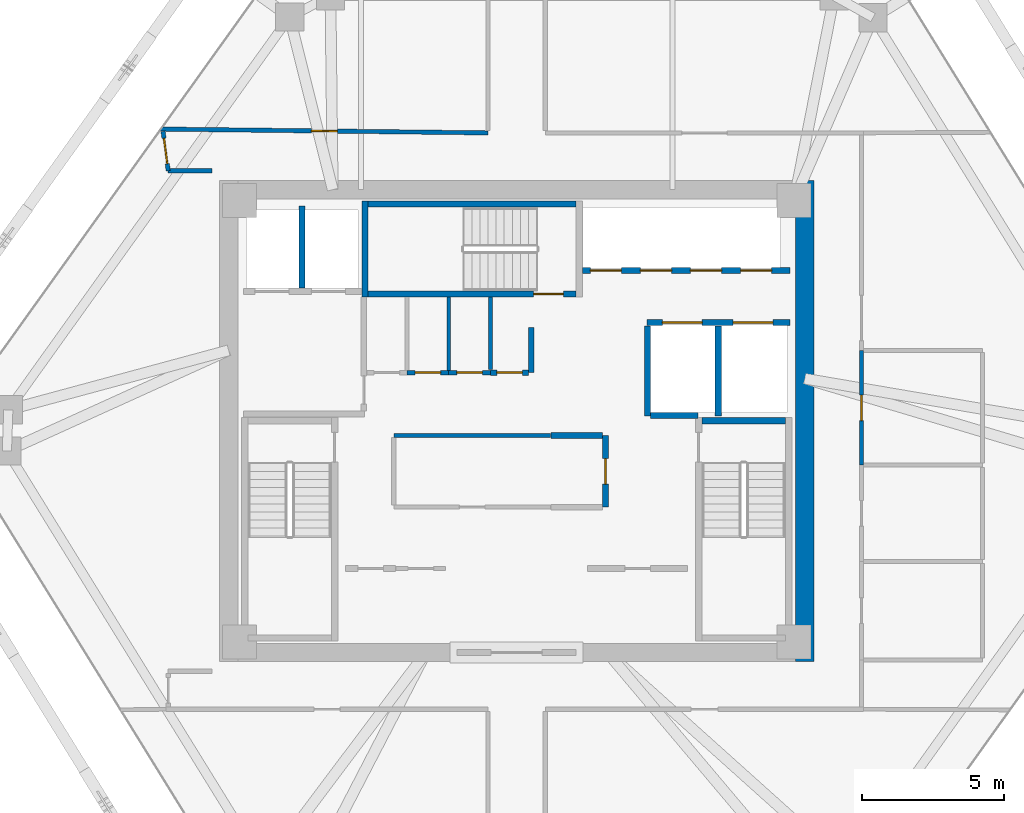
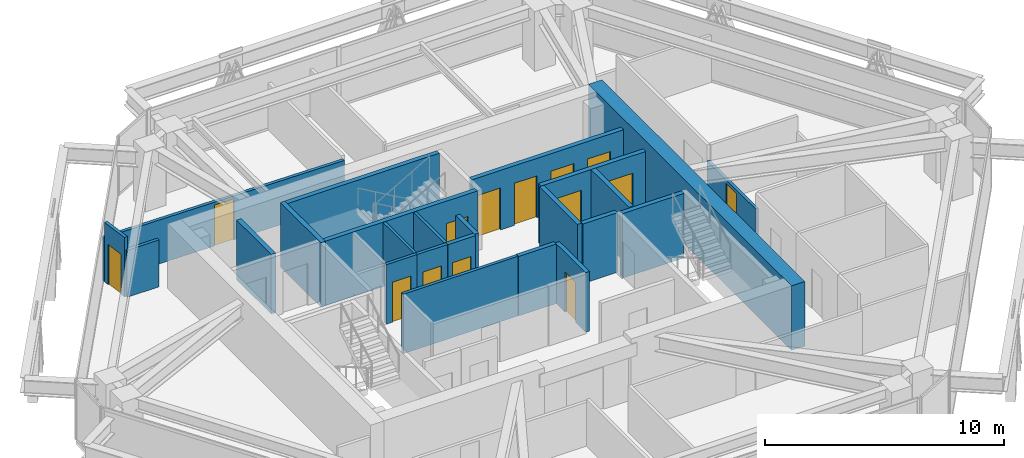
# One storey, part 11 of 13: 24 walls, 14 doors, 14 openings.
"""IFC4 building model written with IfcOpenShell, lengths in metres."""

import ifcopenshell
import ifcopenshell.guid

model = None  # the IFC model being written
_history = None  # IfcOwnerHistory: only IFC2X3 demands one
_inside = {}  # id of a spatial element -> (the spatial element, [elements in it])
_under = {}  # id of a project, library or spatial element -> (it, [spatial elements below it])
_declared = {}  # id of a project -> (the project, [libraries it declares])
_typed = {}  # id of a type object -> (the type object, [elements of that type])
_made_of = {}  # id of a material, layer set ... -> (it, [elements and type objects made of it])


def new_model(schema):
    """Start an empty IFC model of exactly this schema.

    Asked for "IFC4X3", IfcOpenShell would pick the latest addendum, in which some entities
    have other attributes; the version numbers below select the first issue.
    IFC2X3 requires an IfcOwnerHistory on every rooted entity: one is made here for all.
    """
    global model, _history
    if schema == "IFC4X3":
        model = ifcopenshell.file(schema_version=(4, 3, 0, 0))
    else:
        model = ifcopenshell.file(schema=schema)
    _inside.clear()
    _under.clear()
    _declared.clear()
    _typed.clear()
    _made_of.clear()
    _history = None
    if model.schema == "IFC2X3":
        org = make("IfcOrganization", Name="unknown")
        user = make(
            "IfcPersonAndOrganization",
            ThePerson=make("IfcPerson", FamilyName="unknown"),
            TheOrganization=org,
        )
        app = make(
            "IfcApplication",
            ApplicationDeveloper=org,
            Version="unknown",
            ApplicationFullName="unknown",
            ApplicationIdentifier="unknown",
        )
        _history = make(
            "IfcOwnerHistory",
            OwningUser=user,
            OwningApplication=app,
            ChangeAction="ADDED",
            CreationDate=0,
        )
    return model


def make(cls, **values):
    """One entity of the class cls with the attributes given. An attribute that is None is left unset."""
    return model.create_entity(
        cls, **{name: value for name, value in values.items() if value is not None}
    )


def rooted(cls, **values):
    """An entity with a GlobalId (a new one), such as an element, a storey or a relation."""
    return make(cls, GlobalId=ifcopenshell.guid.new(), OwnerHistory=_history, **values)


def si_unit(unit_type, name, prefix=None):
    """IfcSIUnit, for example si_unit("LENGTHUNIT", "METRE", prefix="MILLI")."""
    return make("IfcSIUnit", UnitType=unit_type, Prefix=prefix, Name=name)


def assignment(units):
    """IfcUnitAssignment: the units of a project."""
    return None if units is None else make("IfcUnitAssignment", Units=units)


def point(xyz):
    """IfcCartesianPoint."""
    return None if xyz is None else make("IfcCartesianPoint", Coordinates=xyz)


def direction(xyz):
    """IfcDirection."""
    return None if xyz is None else make("IfcDirection", DirectionRatios=xyz)


def frame(location, z_axis=None, x_axis=None):
    """IfcAxis2Placement3D, a coordinate frame: its origin and axes. An axis left out is left unset."""
    return make(
        "IfcAxis2Placement3D",
        Location=point(location),
        Axis=direction(z_axis),
        RefDirection=direction(x_axis),
    )


def frame_2d(location, x_axis=None):
    """IfcAxis2Placement2D, a coordinate frame in the plane: its origin and x axis."""
    return make(
        "IfcAxis2Placement2D", Location=point(location), RefDirection=direction(x_axis)
    )


def origin():
    """The frame at (0, 0, 0) with its axes left unset."""
    return frame((0.0, 0.0, 0.0))


def place(relative_to, where):
    """IfcLocalPlacement: puts the frame where relative to a parent placement (None: the world)."""
    return make(
        "IfcLocalPlacement", PlacementRelTo=relative_to, RelativePlacement=where
    )


def context(
    kind, dimensions, precision=None, world=None, true_north=None, identifier=None
):
    """IfcGeometricRepresentationContext, for example the 3D "Model" context."""
    return make(
        "IfcGeometricRepresentationContext",
        ContextIdentifier=identifier,
        ContextType=kind,
        CoordinateSpaceDimension=dimensions,
        Precision=precision,
        WorldCoordinateSystem=world,
        TrueNorth=true_north,
    )


def subcontext(parent, identifier, kind, view, scale=None):
    """IfcGeometricRepresentationSubContext, for example "Body" below "Model"."""
    return make(
        "IfcGeometricRepresentationSubContext",
        ContextIdentifier=identifier,
        ContextType=kind,
        ParentContext=parent,
        TargetScale=scale,
        TargetView=view,
    )


def project(units=None, contexts=None):
    """IfcProject with its units and contexts."""
    return rooted(
        "IfcProject",
        Name="project",
        RepresentationContexts=contexts,
        UnitsInContext=assignment(units),
    )


def spatial(cls, under=None, at=None, **own):
    """A site, building, storey or space (cls), placed at a placement, below another one or the project."""
    s = rooted(cls, ObjectPlacement=at, **own)
    if under is not None:
        _under.setdefault(under.id(), (under, []))[1].append(s)
    return s


def profile(cls, at=None, kind="AREA", **sizes):
    """A parametric profile (cls). Its sizes go by their IFC names, for example OverallWidth=200.0."""
    return make(cls, ProfileType=kind, Position=at, **sizes)


def rectangle(**sizes):
    """IfcRectangleProfileDef."""
    return profile("IfcRectangleProfileDef", **sizes)


def extrude(swept, where, along, depth):
    """IfcExtrudedAreaSolid: the profile swept, set in the frame where, extruded along a direction by depth."""
    return make(
        "IfcExtrudedAreaSolid",
        SweptArea=swept,
        Position=where,
        ExtrudedDirection=direction(along),
        Depth=depth,
    )


def shape(context_of_items, identifier, shape_type, items):
    """IfcShapeRepresentation: the items that make up one representation, for example the "Body"."""
    return make(
        "IfcShapeRepresentation",
        ContextOfItems=context_of_items,
        RepresentationIdentifier=identifier,
        RepresentationType=shape_type,
        Items=items,
    )


def source(mapping_origin, context_of_items, identifier, shape_type, items):
    """IfcRepresentationMap: a shape defined once, which mapped items show again and again."""
    return make(
        "IfcRepresentationMap",
        MappingOrigin=mapping_origin,
        MappedRepresentation=shape(context_of_items, identifier, shape_type, items),
    )


def transform(
    local_origin,
    x_axis=None,
    y_axis=None,
    z_axis=None,
    scale=None,
    scale2=None,
    scale3=None,
    uniform=True,
):
    """IfcCartesianTransformationOperator3D, or its non-uniform kind. x_axis, y_axis, z_axis: its Axis1, 2, 3."""
    if uniform:
        return make(
            "IfcCartesianTransformationOperator3D",
            Axis1=direction(x_axis),
            Axis2=direction(y_axis),
            LocalOrigin=point(local_origin),
            Scale=scale,
            Axis3=direction(z_axis),
        )
    return make(
        "IfcCartesianTransformationOperator3DnonUniform",
        Axis1=direction(x_axis),
        Axis2=direction(y_axis),
        LocalOrigin=point(local_origin),
        Scale=scale,
        Axis3=direction(z_axis),
        Scale2=scale2,
        Scale3=scale3,
    )


def mapped(mapping_source, mapping_target):
    """IfcMappedItem: shows the shape of a source again, moved by a transform."""
    return make(
        "IfcMappedItem", MappingSource=mapping_source, MappingTarget=mapping_target
    )


def material(Name=None, Category=None):
    """IfcMaterial."""
    return make("IfcMaterial", Name=Name, Category=Category)


def layer(
    of_material, thickness, ventilated=None, Name=None, Category=None, Priority=None
):
    """IfcMaterialLayer: one layer of a wall or slab, of a material (None: an air gap)."""
    return make(
        "IfcMaterialLayer",
        Material=of_material,
        LayerThickness=thickness,
        IsVentilated=ventilated,
        Name=Name,
        Category=Category,
        Priority=Priority,
    )


def layer_set(layers, Name=None):
    """IfcMaterialLayerSet."""
    return make("IfcMaterialLayerSet", MaterialLayers=layers, LayerSetName=Name)


def made_of(thing, what):
    """Note that an element or type object is made of a material, layer set ...; save() writes the relation."""
    if what is not None:
        _made_of.setdefault(what.id(), (what, []))[1].append(thing)
    return thing


def type_object(cls, material=None, **own):
    """A type object (cls), such as IfcWallType, which elements share."""
    return made_of(rooted(cls, **own), material)


def type_shapes(of_type, sources):
    """Give a type object the sources (RepresentationMaps) that its elements show as mapped items."""
    of_type.RepresentationMaps = sources


def element(
    cls,
    number,
    at=None,
    inside=None,
    cuts=None,
    type_object=None,
    material=None,
    context=None,
    identifier="Body",
    shape_type=None,
    held_by="IfcProductDefinitionShape",
    body=None,
    shapes=None,
    **own,
):
    """One element of the class cls, such as IfcWall. Its Tag is "e" and its number.

    at: its placement. inside: the storey or other place that contains it. cuts: it is an
    opening in that element (IfcRelVoidsElement). A single representation is given by context,
    identifier, shape_type and body (its items); several are given by shapes. held_by: the class
    of the entity that holds the representations. save() writes the other relations.
    """
    e = rooted(cls, Tag="e%d" % number, ObjectPlacement=at, **own)
    if body is not None:
        shapes = [shape(context, identifier, shape_type, body)]
    if shapes is not None:
        e.Representation = make(held_by, Representations=shapes)
    if inside is not None:
        _inside.setdefault(inside.id(), (inside, []))[1].append(e)
    if cuts is not None:
        rooted(
            "IfcRelVoidsElement", RelatingBuildingElement=cuts, RelatedOpeningElement=e
        )
    if type_object is not None:
        _typed.setdefault(type_object.id(), (type_object, []))[1].append(e)
    return made_of(e, material)


def fill(opening, filler):
    """IfcRelFillsElement: the door or window that sits in an opening."""
    return rooted(
        "IfcRelFillsElement",
        RelatingOpeningElement=opening,
        RelatedBuildingElement=filler,
    )


def aggregate(whole, parts):
    """IfcRelAggregates: a whole, such as a stair, and the parts it consists of."""
    return rooted("IfcRelAggregates", RelatingObject=whole, RelatedObjects=parts)


def save(model, path):
    """Write the relations noted so far, then the file.

    IfcRelAggregates (storeys below a building ...), IfcRelContainedInSpatialStructure (elements
    in a storey), IfcRelDefinesByType, IfcRelAssociatesMaterial and IfcRelDeclares: one each for
    every whole, place, type object, material and project.
    """
    for whole, parts in _under.values():
        aggregate(whole, parts)
    for where, things in _inside.values():
        rooted(
            "IfcRelContainedInSpatialStructure",
            RelatedElements=things,
            RelatingStructure=where,
        )
    for kind, things in _typed.values():
        rooted("IfcRelDefinesByType", RelatedObjects=things, RelatingType=kind)
    for what, things in _made_of.values():
        rooted("IfcRelAssociatesMaterial", RelatedObjects=things, RelatingMaterial=what)
    for by, libraries in _declared.values():
        rooted("IfcRelDeclares", RelatingContext=by, RelatedDefinitions=libraries)
    model.write(path)


model = new_model("IFC4")

# Units and contexts
model_context = context("Model", 3, precision=1e-05, world=origin(), true_north=direction((0.0, 1.0)))
body_context = subcontext(model_context, "Body", "Model", "MODEL_VIEW")
ifc_project = project(units=[si_unit("LENGTHUNIT", "METRE"), si_unit("AREAUNIT", "SQUARE_METRE"), si_unit("VOLUMEUNIT", "CUBIC_METRE"), si_unit("PLANEANGLEUNIT", "RADIAN"), si_unit("MASSUNIT", "GRAM", prefix="KILO")], contexts=[model_context])

# Site, building, storey
site_placement = place(None, origin())
site = spatial("IfcSite", under=ifc_project, at=site_placement, CompositionType="ELEMENT")
building_placement = place(site_placement, origin())
building = spatial("IfcBuilding", under=site, at=building_placement, Name="Durnholm Broadcast Tower", CompositionType="ELEMENT")
storey_placement = place(building_placement, frame((0.0, 0.0, 167.199951171875)))
storey = spatial("IfcBuildingStorey", under=building, at=storey_placement, Name="L45", CompositionType="ELEMENT", Elevation=167.199951171875)

# Wall
ifc_material_1 = material(Name="Concrete C70/85", Category="concrete")
ifc_layer_1 = layer(ifc_material_1, 0.64990234375)
ifc_layer_set_1 = layer_set([ifc_layer_1], Name="Concrete C70/85")
wall_type_1 = type_object("IfcWallType", Name="WALL-CW-650", PredefinedType="SHEAR", material=ifc_layer_set_1)
wall_1_placement = place(storey_placement, frame((10.175048828125, -8.5, 0.0), z_axis=(0.0, 0.0, 1.0), x_axis=(0.0, 1.0, 0.0)))
element("IfcWall", 1, at=wall_1_placement, inside=storey, type_object=wall_type_1, Name="L45 central core shear wall CW-EAST", PredefinedType="SHEAR", context=body_context, shape_type="SweptSolid", body=[
    extrude(rectangle(XDim=17.0, YDim=0.64990234375, at=frame_2d((8.5, 0.0))), origin(), (0.0, 0.0, 1.0), 3.300048828125),
])

# Wall, opening, door
ifc_material_2 = material(Name="Fire-Rated Gypsum Shaftwall", Category="concrete")
ifc_layer_2 = layer(ifc_material_2, 0.199951171875)
ifc_layer_set_2 = layer_set([ifc_layer_2], Name="Fire-Rated Gypsum Shaftwall")
wall_type_2 = type_object("IfcWallType", Name="WALL-LOB-200", PredefinedType="SOLIDWALL", material=ifc_layer_set_2)
wall_2_placement = place(storey_placement, frame((3.139892578125, -0.510009765625, 0.0), z_axis=(0.0, 0.0, 1.0), x_axis=(0.0, -1.0, 0.0)))
wall_2 = element("IfcWall", 2, at=wall_2_placement, inside=storey, type_object=wall_type_2, Name="L45 Core IT Telecom Room corridor partition", PredefinedType="SOLIDWALL", context=body_context, shape_type="SweptSolid", body=[
    extrude(rectangle(XDim=2.530029296875, YDim=0.199951171875, at=frame_2d((1.26513671875, 0.0))), origin(), (0.0, 0.0, 1.0), 3.045166015625),
])
opening_1_placement = place(wall_2_placement, frame((0.81494140625, 0.0, 0.0)))
opening_1 = element("IfcOpeningElement", 3, at=opening_1_placement, cuts=wall_2, Name="Opening DC-60L", PredefinedType="OPENING", context=body_context, shape_type="SweptSolid", body=[
    extrude(rectangle(XDim=0.89990234375, YDim=2.050048828125, at=frame_2d((0.449951171875, 1.02490234375))), frame((0.0, 0.10986328125, 0.0), z_axis=(0.0, -1.0, 0.0), x_axis=(1.0, 0.0, 0.0)), (0.0, 0.0, 1.0), 0.219970703125),
])
ifc_material_3 = material(Name="Fire-Rated Core Service Door", Category="steel")
ifc_layer_3 = layer(ifc_material_3, 0.050048828125)
ifc_layer_set_3 = layer_set([ifc_layer_3], Name="Fire-Rated Core Service Door")
door_type_1 = type_object("IfcDoorType", Name="DOOR-CORE-FD60-L", OperationType="NOTDEFINED", PredefinedType="DOOR", material=ifc_layer_set_3)
shared_shape_1 = source(origin(), body_context, "Body", "SweptSolid", [
    extrude(rectangle(XDim=0.89990234375, YDim=2.050048828125, at=frame_2d((0.449951171875, 1.02490234375))), frame((0.0, 0.02490234375, 0.0), z_axis=(0.0, -1.0, 0.0), x_axis=(1.0, 0.0, 0.0)), (0.0, 0.0, 1.0), 0.050048828125),
])
type_shapes(door_type_1, [shared_shape_1])
door_1_placement = place(opening_1_placement, origin())
door_1 = element("IfcDoor", 4, at=door_1_placement, inside=storey, type_object=door_type_1, Name="L45 Core IT Telecom Room entrance door", OperationType="SINGLE_SWING_LEFT", OverallHeight=2.050048828125, OverallWidth=0.89990234375, PredefinedType="DOOR", context=body_context, shape_type="MappedRepresentation", body=[
    mapped(shared_shape_1, transform((0.0, 0.0, 0.0), x_axis=(1.0, 0.0, 0.0), y_axis=(0.0, 1.0, 0.0), z_axis=(0.0, 0.0, 1.0), scale=1.0)),
])
fill(opening_1, door_1)

# Walls
wall_3_placement = place(storey_placement, frame((1.2099609375, -0.510009765625, 0.0), z_axis=(0.0, 0.0, 1.0), x_axis=(1.0, 0.0, 0.0)))
element("IfcWall", 5, at=wall_3_placement, inside=storey, type_object=wall_type_2, Name="L45 Core IT Telecom Room corridor partition", PredefinedType="SOLIDWALL", context=body_context, shape_type="SweptSolid", body=[
    extrude(rectangle(XDim=1.825927734375, YDim=0.199951171875, at=frame_2d((0.9130859375, 0.0))), origin(), (0.0, 0.0, 1.0), 3.045166015625),
])
wall_4_placement = place(storey_placement, frame((0.52001953125, 3.300048828125, 0.0), z_axis=(0.0, 0.0, 1.0), x_axis=(0.0, -1.0, 0.0)))
element("IfcWall", 6, at=wall_4_placement, inside=storey, type_object=wall_type_2, Name="L45 Core Signal Sync Room corridor partition", PredefinedType="SOLIDWALL", context=body_context, shape_type="SweptSolid", body=[
    extrude(rectangle(XDim=1.590087890625, YDim=0.199951171875, at=frame_2d((0.794921875, 0.0))), origin(), (0.0, 0.0, 1.0), 3.045166015625),
])

# Wall, opening, door
wall_5_placement = place(storey_placement, frame((0.416015625, 1.7099609375, 0.0), z_axis=(0.0, 0.0, 1.0), x_axis=(-1.0, 0.0, 0.0)))
wall_5 = element("IfcWall", 7, at=wall_5_placement, inside=storey, type_object=wall_type_2, Name="L45 Core Signal Sync Room corridor partition", PredefinedType="SOLIDWALL", context=body_context, shape_type="SweptSolid", body=[
    extrude(rectangle(XDim=1.3359375, YDim=0.199951171875, at=frame_2d((0.66796875, 0.0))), origin(), (0.0, 0.0, 1.0), 3.045166015625),
])
opening_2_placement = place(wall_5_placement, frame((0.218017578125, 0.0, 0.0)))
opening_2 = element("IfcOpeningElement", 8, at=opening_2_placement, cuts=wall_5, Name="Opening DC-60L", PredefinedType="OPENING", context=body_context, shape_type="SweptSolid", body=[
    extrude(rectangle(XDim=0.89990234375, YDim=2.050048828125, at=frame_2d((0.449951171875, 1.02490234375))), frame((0.0, 0.10986328125, 0.0), z_axis=(0.0, -1.0, 0.0), x_axis=(1.0, 0.0, 0.0)), (0.0, 0.0, 1.0), 0.219970703125),
])
door_2_placement = place(opening_2_placement, origin())
door_2 = element("IfcDoor", 9, at=door_2_placement, inside=storey, type_object=door_type_1, Name="L45 Core Signal Sync Room entrance door", OperationType="SINGLE_SWING_LEFT", OverallHeight=2.050048828125, OverallWidth=0.89990234375, PredefinedType="DOOR", context=body_context, shape_type="MappedRepresentation", body=[
    mapped(shared_shape_1, transform((0.0, 0.0, 0.0), x_axis=(1.0, 0.0, 0.0), y_axis=(0.0, 1.0, 0.0), z_axis=(0.0, 0.0, 1.0), scale=1.0)),
])
fill(opening_2, door_2)

# Walls
ifc_material_4 = material(Name="Gypsum Metal Stud Partition", Category="concrete")
ifc_layer_4 = layer(ifc_material_4, 0.135009765625)
ifc_layer_set_4 = layer_set([ifc_layer_4], Name="Gypsum Metal Stud Partition")
wall_type_3 = type_object("IfcWallType", Name="WALL-PART-135", PredefinedType="PARTITIONING", material=ifc_layer_set_4)
wall_6_placement = place(storey_placement, frame((-2.39990234375, 4.375, 0.0), z_axis=(0.0, 0.0, 1.0), x_axis=(0.0, -1.0, 0.0)))
element("IfcWall", 10, at=wall_6_placement, inside=storey, type_object=wall_type_3, Name="L45 room dividing partition 7.8", PredefinedType="PARTITIONING", context=body_context, shape_type="SweptSolid", body=[
    extrude(rectangle(XDim=2.5859375, YDim=0.135009765625, at=frame_2d((1.29296875, 0.0))), origin(), (0.0, 0.0, 1.0), 3.045166015625),
])
wall_7_placement = place(storey_placement, frame((-0.919921875, 4.375, 0.0), z_axis=(0.0, 0.0, 1.0), x_axis=(0.0, -1.0, 0.0)))
element("IfcWall", 11, at=wall_7_placement, inside=storey, type_object=wall_type_3, Name="L45 room dividing partition 8.9", PredefinedType="PARTITIONING", context=body_context, shape_type="SweptSolid", body=[
    extrude(rectangle(XDim=2.56103515625, YDim=0.135009765625, at=frame_2d((1.280517578125, 0.0))), origin(), (0.0, 0.0, 1.0), 3.045166015625),
])
ifc_material_5 = material(Name="Acoustic Gypsum Stud Partition", Category="concrete")
ifc_layer_5 = layer(ifc_material_5, 0.14990234375)
ifc_layer_set_5 = layer_set([ifc_layer_5], Name="Acoustic Gypsum Stud Partition")
wall_type_4 = type_object("IfcWallType", Name="WALL-PART-150", PredefinedType="PARTITIONING", material=ifc_layer_set_5)
wall_8_placement = place(storey_placement, frame((-4.340087890625, -0.510009765625, 0.0), z_axis=(0.0, 0.0, 1.0), x_axis=(1.0, 0.0, 0.0)))
element("IfcWall", 12, at=wall_8_placement, inside=storey, type_object=wall_type_4, Name="L45 Broadcast Equipment Store corridor partition", PredefinedType="PARTITIONING", context=body_context, shape_type="SweptSolid", body=[
    extrude(rectangle(XDim=5.530029296875, YDim=0.14990234375, at=frame_2d((2.76513671875, 0.0))), origin(), (0.0, 0.0, 1.0), 3.045166015625),
])

# Wall, opening, door
wall_9_placement = place(storey_placement, frame((-2.39990234375, 1.7099609375, 0.0), z_axis=(0.0, 0.0, 1.0), x_axis=(-1.0, 0.0, 0.0)))
wall_9 = element("IfcWall", 13, at=wall_9_placement, inside=storey, type_object=wall_type_4, Name="L45 Core Linen Supply Closet corridor partition", PredefinedType="PARTITIONING", context=body_context, shape_type="SweptSolid", body=[
    extrude(rectangle(XDim=1.47998046875, YDim=0.14990234375, at=frame_2d((0.739990234375, 0.0))), origin(), (0.0, 0.0, 1.0), 3.045166015625),
])
opening_3_placement = place(wall_9_placement, frame((0.2900390625, 0.0, 0.0)))
opening_3 = element("IfcOpeningElement", 14, at=opening_3_placement, cuts=wall_9, Name="Opening DC-60L", PredefinedType="OPENING", context=body_context, shape_type="SweptSolid", body=[
    extrude(rectangle(XDim=0.89990234375, YDim=2.050048828125, at=frame_2d((0.449951171875, 1.02490234375))), frame((0.0, 0.0849609375, 0.0), z_axis=(0.0, -1.0, 0.0), x_axis=(1.0, 0.0, 0.0)), (0.0, 0.0, 1.0), 0.169921875),
])
door_3_placement = place(opening_3_placement, origin())
door_3 = element("IfcDoor", 15, at=door_3_placement, inside=storey, type_object=door_type_1, Name="L45 Core Linen Supply Closet entrance door", OperationType="SINGLE_SWING_LEFT", OverallHeight=2.050048828125, OverallWidth=0.89990234375, PredefinedType="DOOR", context=body_context, shape_type="MappedRepresentation", body=[
    mapped(shared_shape_1, transform((0.0, 0.0, 0.0), x_axis=(1.0, 0.0, 0.0), y_axis=(0.0, 1.0, 0.0), z_axis=(0.0, 0.0, 1.0), scale=1.0)),
])
fill(opening_3, door_3)

wall_10_placement = place(storey_placement, frame((-0.919921875, 1.7099609375, 0.0), z_axis=(0.0, 0.0, 1.0), x_axis=(-1.0, 0.0, 0.0)))
wall_10 = element("IfcWall", 16, at=wall_10_placement, inside=storey, type_object=wall_type_4, Name="L45 Core Safety Gear Store corridor partition", PredefinedType="PARTITIONING", context=body_context, shape_type="SweptSolid", body=[
    extrude(rectangle(XDim=1.47998046875, YDim=0.14990234375, at=frame_2d((0.739990234375, 0.0))), origin(), (0.0, 0.0, 1.0), 3.045166015625),
])
opening_4_placement = place(wall_10_placement, frame((0.2900390625, 0.0, 0.0)))
opening_4 = element("IfcOpeningElement", 17, at=opening_4_placement, cuts=wall_10, Name="Opening DC-60R", PredefinedType="OPENING", context=body_context, shape_type="SweptSolid", body=[
    extrude(rectangle(XDim=0.89990234375, YDim=2.050048828125, at=frame_2d((0.449951171875, 1.02490234375))), frame((0.0, 0.0849609375, 0.0), z_axis=(0.0, -1.0, 0.0), x_axis=(1.0, 0.0, 0.0)), (0.0, 0.0, 1.0), 0.169921875),
])
ifc_layer_6 = layer(ifc_material_3, 0.050048828125)
ifc_layer_set_6 = layer_set([ifc_layer_6], Name="Fire-Rated Core Service Door")
door_type_2 = type_object("IfcDoorType", Name="DOOR-CORE-FD60-R", OperationType="NOTDEFINED", PredefinedType="DOOR", material=ifc_layer_set_6)
shared_shape_2 = source(origin(), body_context, "Body", "SweptSolid", [
    extrude(rectangle(XDim=0.89990234375, YDim=2.050048828125, at=frame_2d((0.449951171875, 1.02490234375))), frame((0.0, 0.02490234375, 0.0), z_axis=(0.0, -1.0, 0.0), x_axis=(1.0, 0.0, 0.0)), (0.0, 0.0, 1.0), 0.050048828125),
])
type_shapes(door_type_2, [shared_shape_2])
door_4_placement = place(opening_4_placement, origin())
door_4 = element("IfcDoor", 18, at=door_4_placement, inside=storey, type_object=door_type_2, Name="L45 Core Safety Gear Store entrance door", OperationType="SINGLE_SWING_RIGHT", OverallHeight=2.050048828125, OverallWidth=0.89990234375, PredefinedType="DOOR", context=body_context, shape_type="MappedRepresentation", body=[
    mapped(shared_shape_2, transform((0.0, 0.0, 0.0), x_axis=(1.0, 0.0, 0.0), y_axis=(0.0, 1.0, 0.0), z_axis=(0.0, 0.0, 1.0), scale=1.0)),
])
fill(opening_4, door_4)

wall_11_placement = place(storey_placement, frame((-1.010009765625, 10.179931640625, 0.0), z_axis=(0.0, 0.0, 1.0), x_axis=(-0.999931176304, 0.011732120664, 0.0)))
wall_11 = element("IfcWall", 19, at=wall_11_placement, inside=storey, type_object=wall_type_4, Name="L45 Open Plan Broadcast Workspace 2 corridor partition", PredefinedType="PARTITIONING", context=body_context, shape_type="SweptSolid", body=[
    extrude(rectangle(XDim=11.570068359375, YDim=0.14990234375, at=frame_2d((5.78515625, 0.0))), origin(), (0.0, 0.0, 1.0), 2.241943359375),
])
opening_5_placement = place(wall_11_placement, frame((5.3251953125, 0.0, 0.0)))
opening_5 = element("IfcOpeningElement", 20, at=opening_5_placement, cuts=wall_11, Name="Opening DR-92L", PredefinedType="OPENING", context=body_context, shape_type="SweptSolid", body=[
    extrude(rectangle(XDim=0.919921875, YDim=2.10009765625, at=frame_2d((0.4599609375, 1.050048828125))), frame((0.0, 0.0849609375, 0.0), z_axis=(0.0, -1.0, 0.0), x_axis=(1.0, 0.0, 0.0)), (0.0, 0.0, 1.0), 0.169921875),
])
ifc_material_6 = material(Name="Oak Veneer Office Door", Category="wood")
ifc_layer_7 = layer(ifc_material_6, 0.050048828125)
ifc_layer_set_7 = layer_set([ifc_layer_7], Name="Oak Veneer Office Door")
door_type_3 = type_object("IfcDoorType", Name="DOOR-RM-920L", OperationType="NOTDEFINED", PredefinedType="DOOR", material=ifc_layer_set_7)
shared_shape_3 = source(origin(), body_context, "Body", "SweptSolid", [
    extrude(rectangle(XDim=0.919921875, YDim=2.10009765625, at=frame_2d((0.4599609375, 1.050048828125))), frame((0.0, 0.02490234375, 0.0), z_axis=(0.0, -1.0, 0.0), x_axis=(1.0, 0.0, 0.0)), (0.0, 0.0, 1.0), 0.050048828125),
])
type_shapes(door_type_3, [shared_shape_3])
door_5_placement = place(opening_5_placement, origin())
door_5 = element("IfcDoor", 21, at=door_5_placement, inside=storey, type_object=door_type_3, Name="L45 Open Plan Broadcast Workspace 2 entrance door", OperationType="SINGLE_SWING_LEFT", OverallHeight=2.10009765625, OverallWidth=0.919921875, PredefinedType="DOOR", context=body_context, shape_type="MappedRepresentation", body=[
    mapped(shared_shape_3, transform((0.0, 0.0, 0.0), x_axis=(1.0, 0.0, 0.0), y_axis=(0.0, 1.0, 0.0), z_axis=(0.0, 0.0, 1.0), scale=1.0)),
])
fill(opening_5, door_5)

# Wall
wall_12_placement = place(storey_placement, frame((-12.31005859375, 8.840087890625, 0.0), z_axis=(0.0, 0.0, 1.0), x_axis=(1.0, 0.0, 0.0)))
element("IfcWall", 22, at=wall_12_placement, inside=storey, type_object=wall_type_4, Name="L45 Digital Media Hall corridor partition", PredefinedType="PARTITIONING", context=body_context, shape_type="SweptSolid", body=[
    extrude(rectangle(XDim=1.550048828125, YDim=0.14990234375, at=frame_2d((0.77490234375, 0.0))), origin(), (0.0, 0.0, 1.0), 2.39892578125),
])

# Wall, opening, door
wall_13_placement = place(storey_placement, frame((-12.4921875, 10.235595703125, 0.0), z_axis=(0.0, 0.0, 1.0), x_axis=(0.129413346452, -0.991590735011, 0.0)))
wall_13 = element("IfcWall", 23, at=wall_13_placement, inside=storey, type_object=wall_type_4, Name="L45 Digital Media Hall corridor partition", PredefinedType="PARTITIONING", context=body_context, shape_type="SweptSolid", body=[
    extrude(rectangle(XDim=1.4072265625, YDim=0.14990234375, at=frame_2d((0.70361328125, 0.0))), origin(), (0.0, 0.0, 1.0), 3.045166015625),
])
opening_6_placement = place(wall_13_placement, frame((0.253662109375, 0.0, 0.0)))
opening_6 = element("IfcOpeningElement", 24, at=opening_6_placement, cuts=wall_13, Name="Opening DW-90R", PredefinedType="OPENING", context=body_context, shape_type="SweptSolid", body=[
    extrude(rectangle(XDim=0.89990234375, YDim=2.050048828125, at=frame_2d((0.449951171875, 1.02490234375))), frame((0.0, 0.0849609375, 0.0), z_axis=(0.0, -1.0, 0.0), x_axis=(1.0, 0.0, 0.0)), (0.0, 0.0, 1.0), 0.169921875),
])
ifc_material_7 = material(Name="Laminate Restroom Door", Category="steel")
ifc_layer_8 = layer(ifc_material_7, 0.050048828125)
ifc_layer_set_8 = layer_set([ifc_layer_8], Name="Laminate Restroom Door")
door_type_4 = type_object("IfcDoorType", Name="DOOR-WC-900R", OperationType="NOTDEFINED", PredefinedType="DOOR", material=ifc_layer_set_8)
shared_shape_4 = source(origin(), body_context, "Body", "SweptSolid", [
    extrude(rectangle(XDim=0.89990234375, YDim=2.050048828125, at=frame_2d((0.449951171875, 1.02490234375))), frame((0.0, 0.02490234375, 0.0), z_axis=(0.0, -1.0, 0.0), x_axis=(1.0, 0.0, 0.0)), (0.0, 0.0, 1.0), 0.050048828125),
])
type_shapes(door_type_4, [shared_shape_4])
door_6_placement = place(opening_6_placement, origin())
door_6 = element("IfcDoor", 25, at=door_6_placement, inside=storey, type_object=door_type_4, Name="L45 Digital Media Hall entrance door", OperationType="SINGLE_SWING_RIGHT", OverallHeight=2.050048828125, OverallWidth=0.89990234375, PredefinedType="DOOR", context=body_context, shape_type="MappedRepresentation", body=[
    mapped(shared_shape_4, transform((0.0, 0.0, 0.0), x_axis=(1.0, 0.0, 0.0), y_axis=(0.0, 1.0, 0.0), z_axis=(0.0, 0.0, 1.0), scale=1.0)),
])
fill(opening_6, door_6)

# Wall
ifc_material_8 = material(Name="Concrete Blockwork C30/37", Category="masonry")
ifc_layer_9 = layer(ifc_material_8, 0.219970703125)
ifc_layer_set_9 = layer_set([ifc_layer_9], Name="Concrete Blockwork C30/37")
wall_type_5 = type_object("IfcWallType", Name="WALL-SHAFT-220", PredefinedType="SOLIDWALL", material=ifc_layer_set_9)
wall_14_placement = place(storey_placement, frame((-7.580078125, 4.694091796875, 0.0), z_axis=(0.0, 0.0, 1.0), x_axis=(0.0, 1.0, 0.0)))
element("IfcWall", 26, at=wall_14_placement, inside=storey, type_object=wall_type_5, Name="L45 FSAE shaft divider wall", PredefinedType="SOLIDWALL", context=body_context, shape_type="SweptSolid", body=[
    extrude(rectangle(XDim=2.906005859375, YDim=0.219970703125, at=frame_2d((1.453125, 0.0))), origin(), (0.0, 0.0, 1.0), 3.045166015625),
])

# Wall, openings, doors
wall_15_placement = place(storey_placement, frame((4.60009765625, 3.47998046875, 0.0), z_axis=(0.0, 0.0, 1.0), x_axis=(1.0, 0.0, 0.0)))
wall_15 = element("IfcWall", 27, at=wall_15_placement, inside=storey, type_object=wall_type_5, Name="L45 freight service lifts north front wall", PredefinedType="SOLIDWALL", context=body_context, shape_type="SweptSolid", body=[
    extrude(rectangle(XDim=5.0498046875, YDim=0.219970703125, at=frame_2d((2.52490234375, 0.0))), origin(), (0.0, 0.0, 1.0), 3.045166015625),
])
opening_7_placement = place(wall_15_placement, frame((0.550048828125, 0.0, 0.0)))
opening_7 = element("IfcOpeningElement", 28, at=opening_7_placement, cuts=wall_15, Name="Opening LD-SVL-2", PredefinedType="OPENING", context=body_context, shape_type="SweptSolid", body=[
    extrude(rectangle(XDim=1.39990234375, YDim=2.14990234375, at=frame_2d((0.699951171875, 1.074951171875))), frame((0.0, 0.1201171875, 0.0), z_axis=(0.0, -1.0, 0.0), x_axis=(1.0, 0.0, 0.0)), (0.0, 0.0, 1.0), 0.239990234375),
])
opening_8_placement = place(wall_15_placement, frame((3.050048828125, 0.0, 0.0)))
opening_8 = element("IfcOpeningElement", 29, at=opening_8_placement, cuts=wall_15, Name="Opening LD-SVL-1", PredefinedType="OPENING", context=body_context, shape_type="SweptSolid", body=[
    extrude(rectangle(XDim=1.39990234375, YDim=2.14990234375, at=frame_2d((0.699951171875, 1.074951171875))), frame((0.0, 0.1201171875, 0.0), z_axis=(0.0, -1.0, 0.0), x_axis=(1.0, 0.0, 0.0)), (0.0, 0.0, 1.0), 0.239990234375),
])
ifc_material_9 = material(Name="Freight Elevator Bi-Parting Sliding Landing Door", Category="steel")
ifc_layer_10 = layer(ifc_material_9, 0.050048828125)
ifc_layer_set_10 = layer_set([ifc_layer_10], Name="Freight Elevator Bi-Parting Sliding Landing Door")
door_type_5 = type_object("IfcDoorType", Name="DOOR-LIFT-SVL", OperationType="DOUBLE_DOOR_SLIDING", PredefinedType="DOOR", material=ifc_layer_set_10)
shared_shape_5 = source(origin(), body_context, "Body", "SweptSolid", [
    extrude(rectangle(XDim=1.39990234375, YDim=2.14990234375, at=frame_2d((0.699951171875, 1.074951171875))), frame((0.0, 0.02490234375, 0.0), z_axis=(0.0, -1.0, 0.0), x_axis=(1.0, 0.0, 0.0)), (0.0, 0.0, 1.0), 0.050048828125),
])
type_shapes(door_type_5, [shared_shape_5])
door_7_placement = place(opening_7_placement, origin())
door_7 = element("IfcDoor", 30, at=door_7_placement, inside=storey, type_object=door_type_5, Name="L45 freight service elevator SVL-2 sliding landing door", OperationType="DOUBLE_DOOR_SLIDING", OverallHeight=2.14990234375, OverallWidth=1.39990234375, PredefinedType="DOOR", context=body_context, shape_type="MappedRepresentation", body=[
    mapped(shared_shape_5, transform((0.0, 0.0, 0.0), x_axis=(1.0, 0.0, 0.0), y_axis=(0.0, 1.0, 0.0), z_axis=(0.0, 0.0, 1.0), scale=1.0)),
])
fill(opening_7, door_7)
door_8_placement = place(opening_8_placement, origin())
door_8 = element("IfcDoor", 31, at=door_8_placement, inside=storey, type_object=door_type_5, Name="L45 freight service elevator SVL-1 sliding landing door", OperationType="DOUBLE_DOOR_SLIDING", OverallHeight=2.14990234375, OverallWidth=1.39990234375, PredefinedType="DOOR", context=body_context, shape_type="MappedRepresentation", body=[
    mapped(shared_shape_5, transform((0.0, 0.0, 0.0), x_axis=(1.0, 0.0, 0.0), y_axis=(0.0, 1.0, 0.0), z_axis=(0.0, 0.0, 1.0), scale=1.0)),
])
fill(opening_8, door_8)

# Walls
for number, where, z_axis, x_axis, name in (
    (32, (4.6201171875, 0.179931640625, 0.0), (0.0, 0.0, 1.0), (0.0, 1.0, 0.0), "L45 freight service lift SVL-2 west wall"),
    (33, (7.1201171875, 0.179931640625, 0.0), (0.0, 0.0, 1.0), (0.0, 1.0, 0.0), "L45 freight service lifts divider wall"),
):
    element("IfcWall", number, at=place(storey_placement, frame(where, z_axis=z_axis, x_axis=x_axis)), inside=storey, type_object=wall_type_5, Name=name, PredefinedType="SOLIDWALL", context=body_context, shape_type="SweptSolid", body=[
        extrude(rectangle(XDim=3.18603515625, YDim=0.219970703125, at=frame_2d((1.593017578125, 0.0))), origin(), (0.0, 0.0, 1.0), 3.045166015625),
    ])
wall_16_placement = place(storey_placement, frame((4.73388671875, 0.199951171875, 0.0), z_axis=(0.0, 0.0, 1.0), x_axis=(1.0, 0.0, 0.0)))
element("IfcWall", 34, at=wall_16_placement, inside=storey, type_object=wall_type_5, Name="L45 freight service lift SVL-2 south wall", PredefinedType="SOLIDWALL", context=body_context, shape_type="SweptSolid", body=[
    extrude(rectangle(XDim=1.666015625, YDim=0.219970703125, at=frame_2d((0.8330078125, 0.0))), origin(), (0.0, 0.0, 1.0), 3.045166015625),
])

# Wall, openings, doors
wall_17_placement = place(storey_placement, frame((2.324951171875, 5.320068359375, 0.0), z_axis=(0.0, 0.0, 1.0), x_axis=(1.0, 0.0, 0.0)))
wall_17 = element("IfcWall", 35, at=wall_17_placement, inside=storey, type_object=wall_type_5, Name="L45 high-rise bank P3 south front wall", PredefinedType="SOLIDWALL", context=body_context, shape_type="SweptSolid", body=[
    extrude(rectangle(XDim=7.324951171875, YDim=0.219970703125, at=frame_2d((3.66259765625, 0.0))), origin(), (0.0, 0.0, 1.0), 3.045166015625),
])
opening_9_placement = place(wall_17_placement, frame((0.27490234375, 0.0, 0.0)))
opening_9 = element("IfcOpeningElement", 36, at=opening_9_placement, cuts=wall_17, Name="Opening LD-LP3-1", PredefinedType="OPENING", context=body_context, shape_type="SweptSolid", body=[
    extrude(rectangle(XDim=1.10009765625, YDim=2.14990234375, at=frame_2d((0.550048828125, 1.074951171875))), frame((0.0, 0.1201171875, 0.0), z_axis=(0.0, -1.0, 0.0), x_axis=(1.0, 0.0, 0.0)), (0.0, 0.0, 1.0), 0.239990234375),
])
opening_10_placement = place(wall_17_placement, frame((2.044921875, 0.0, 0.0)))
opening_10 = element("IfcOpeningElement", 37, at=opening_10_placement, cuts=wall_17, Name="Opening LD-LP3-2", PredefinedType="OPENING", context=body_context, shape_type="SweptSolid", body=[
    extrude(rectangle(XDim=1.10009765625, YDim=2.14990234375, at=frame_2d((0.550048828125, 1.074951171875))), frame((0.0, 0.1201171875, 0.0), z_axis=(0.0, -1.0, 0.0), x_axis=(1.0, 0.0, 0.0)), (0.0, 0.0, 1.0), 0.239990234375),
])
opening_11_placement = place(wall_17_placement, frame((3.81494140625, 0.0, 0.0)))
opening_11 = element("IfcOpeningElement", 38, at=opening_11_placement, cuts=wall_17, Name="Opening LD-LP3-3", PredefinedType="OPENING", context=body_context, shape_type="SweptSolid", body=[
    extrude(rectangle(XDim=1.10009765625, YDim=2.14990234375, at=frame_2d((0.550048828125, 1.074951171875))), frame((0.0, 0.1201171875, 0.0), z_axis=(0.0, -1.0, 0.0), x_axis=(1.0, 0.0, 0.0)), (0.0, 0.0, 1.0), 0.239990234375),
])
opening_12_placement = place(wall_17_placement, frame((5.5849609375, 0.0, 0.0)))
opening_12 = element("IfcOpeningElement", 39, at=opening_12_placement, cuts=wall_17, Name="Opening LD-LP3-4", PredefinedType="OPENING", context=body_context, shape_type="SweptSolid", body=[
    extrude(rectangle(XDim=1.10009765625, YDim=2.14990234375, at=frame_2d((0.550048828125, 1.074951171875))), frame((0.0, 0.1201171875, 0.0), z_axis=(0.0, -1.0, 0.0), x_axis=(1.0, 0.0, 0.0)), (0.0, 0.0, 1.0), 0.239990234375),
])
ifc_material_10 = material(Name="Stainless Steel Sliding Elevator Landing Door", Category="steel")
ifc_layer_11 = layer(ifc_material_10, 0.050048828125)
ifc_layer_set_11 = layer_set([ifc_layer_11], Name="Stainless Steel Sliding Elevator Landing Door")
door_type_6 = type_object("IfcDoorType", Name="DOOR-LIFT-PAX", OperationType="DOUBLE_DOOR_SLIDING", PredefinedType="DOOR", material=ifc_layer_set_11)
shared_shape_6 = source(origin(), body_context, "Body", "SweptSolid", [
    extrude(rectangle(XDim=1.10009765625, YDim=2.14990234375, at=frame_2d((0.550048828125, 1.074951171875))), frame((0.0, 0.02490234375, 0.0), z_axis=(0.0, -1.0, 0.0), x_axis=(1.0, 0.0, 0.0)), (0.0, 0.0, 1.0), 0.050048828125),
])
type_shapes(door_type_6, [shared_shape_6])
door_9_placement = place(opening_9_placement, origin())
door_9 = element("IfcDoor", 40, at=door_9_placement, inside=storey, type_object=door_type_6, Name="L45 high-rise elevator LP3-1 sliding landing door", OperationType="DOUBLE_DOOR_SLIDING", OverallHeight=2.14990234375, OverallWidth=1.10009765625, PredefinedType="DOOR", context=body_context, shape_type="MappedRepresentation", body=[
    mapped(shared_shape_6, transform((0.0, 0.0, 0.0), x_axis=(1.0, 0.0, 0.0), y_axis=(0.0, 1.0, 0.0), z_axis=(0.0, 0.0, 1.0), scale=1.0)),
])
fill(opening_9, door_9)
door_10_placement = place(opening_10_placement, origin())
door_10 = element("IfcDoor", 41, at=door_10_placement, inside=storey, type_object=door_type_6, Name="L45 high-rise elevator LP3-2 sliding landing door", OperationType="DOUBLE_DOOR_SLIDING", OverallHeight=2.14990234375, OverallWidth=1.10009765625, PredefinedType="DOOR", context=body_context, shape_type="MappedRepresentation", body=[
    mapped(shared_shape_6, transform((0.0, 0.0, 0.0), x_axis=(1.0, 0.0, 0.0), y_axis=(0.0, 1.0, 0.0), z_axis=(0.0, 0.0, 1.0), scale=1.0)),
])
fill(opening_10, door_10)
door_11_placement = place(opening_11_placement, origin())
door_11 = element("IfcDoor", 42, at=door_11_placement, inside=storey, type_object=door_type_6, Name="L45 high-rise elevator LP3-3 sliding landing door", OperationType="DOUBLE_DOOR_SLIDING", OverallHeight=2.14990234375, OverallWidth=1.10009765625, PredefinedType="DOOR", context=body_context, shape_type="MappedRepresentation", body=[
    mapped(shared_shape_6, transform((0.0, 0.0, 0.0), x_axis=(1.0, 0.0, 0.0), y_axis=(0.0, 1.0, 0.0), z_axis=(0.0, 0.0, 1.0), scale=1.0)),
])
fill(opening_11, door_11)
door_12_placement = place(opening_12_placement, origin())
door_12 = element("IfcDoor", 43, at=door_12_placement, inside=storey, type_object=door_type_6, Name="L45 high-rise elevator LP3-4 sliding landing door", OperationType="DOUBLE_DOOR_SLIDING", OverallHeight=2.14990234375, OverallWidth=1.10009765625, PredefinedType="DOOR", context=body_context, shape_type="MappedRepresentation", body=[
    mapped(shared_shape_6, transform((0.0, 0.0, 0.0), x_axis=(1.0, 0.0, 0.0), y_axis=(0.0, 1.0, 0.0), z_axis=(0.0, 0.0, 1.0), scale=1.0)),
])
fill(opening_12, door_12)

# Walls
ifc_material_11 = material(Name="Concrete C50/60", Category="concrete")
ifc_layer_12 = layer(ifc_material_11, 0.219970703125)
ifc_layer_set_12 = layer_set([ifc_layer_12], Name="Concrete C50/60")
wall_type_6 = type_object("IfcWallType", Name="WALL-SW-220", PredefinedType="SHEAR", material=ifc_layer_set_12)
wall_18_placement = place(storey_placement, frame((9.5, 0.010009765625, -0.239990234375), z_axis=(0.0, 0.0, 1.0), x_axis=(-1.0, 0.0, 0.0)))
element("IfcWall", 44, at=wall_18_placement, inside=storey, type_object=wall_type_6, Name="L45 stair ST-2 structural shaft wall N", PredefinedType="SHEAR", context=body_context, shape_type="SweptSolid", body=[
    extrude(rectangle(XDim=2.9599609375, YDim=0.219970703125, at=frame_2d((1.47998046875, 0.0))), origin(), (0.0, 0.0, 1.0), 3.300048828125),
])
wall_19_placement = place(storey_placement, frame((-5.360107421875, 7.780029296875, -0.239990234375), z_axis=(0.0, 0.0, 1.0), x_axis=(0.0, -1.0, 0.0)))
element("IfcWall", 45, at=wall_19_placement, inside=storey, type_object=wall_type_6, Name="L45 stair ST-3 structural shaft wall W", PredefinedType="SHEAR", context=body_context, shape_type="SweptSolid", body=[
    extrude(rectangle(XDim=3.400146484375, YDim=0.219970703125, at=frame_2d((1.7001953125, 0.0))), origin(), (0.0, 0.0, 1.0), 3.300048828125),
])

# Wall, opening, door
wall_20_placement = place(storey_placement, frame((-5.25, 4.489990234375, -0.239990234375), z_axis=(0.0, 0.0, 1.0), x_axis=(1.0, 0.0, 0.0)))
wall_20 = element("IfcWall", 46, at=wall_20_placement, inside=storey, type_object=wall_type_6, Name="L45 stair ST-3 structural shaft wall S", PredefinedType="SHEAR", context=body_context, shape_type="SweptSolid", body=[
    extrude(rectangle(XDim=7.35009765625, YDim=0.219970703125, at=frame_2d((3.675048828125, 0.0))), origin(), (0.0, 0.0, 1.0), 3.300048828125),
])
opening_13_placement = place(wall_20_placement, frame((5.85009765625, 0.0, 0.0)))
opening_13 = element("IfcOpeningElement", 47, at=opening_13_placement, cuts=wall_20, Name="Opening DS-90L", PredefinedType="OPENING", context=body_context, shape_type="SweptSolid", body=[
    extrude(rectangle(XDim=1.050048828125, YDim=2.14990234375, at=frame_2d((0.52490234375, 1.074951171875))), frame((0.0, 0.1201171875, 0.0), z_axis=(0.0, -1.0, 0.0), x_axis=(1.0, 0.0, 0.0)), (0.0, 0.0, 1.0), 0.239990234375),
])
ifc_material_12 = material(Name="Fire-Rated Steel Door", Category="steel")
ifc_layer_13 = layer(ifc_material_12, 0.050048828125)
ifc_layer_set_13 = layer_set([ifc_layer_13], Name="Fire-Rated Steel Door")
door_type_7 = type_object("IfcDoorType", Name="DOOR-ST-FD90-L", OperationType="NOTDEFINED", PredefinedType="DOOR", material=ifc_layer_set_13)
shared_shape_7 = source(origin(), body_context, "Body", "SweptSolid", [
    extrude(rectangle(XDim=1.050048828125, YDim=2.14990234375, at=frame_2d((0.52490234375, 1.074951171875))), frame((0.0, 0.02490234375, 0.0), z_axis=(0.0, -1.0, 0.0), x_axis=(1.0, 0.0, 0.0)), (0.0, 0.0, 1.0), 0.050048828125),
])
type_shapes(door_type_7, [shared_shape_7])
door_13_placement = place(opening_13_placement, origin())
door_13 = element("IfcDoor", 48, at=door_13_placement, inside=storey, type_object=door_type_7, Name="L45 exit stair ST-3 fire door", OperationType="SINGLE_SWING_LEFT", OverallHeight=2.14990234375, OverallWidth=1.050048828125, PredefinedType="DOOR", context=body_context, shape_type="MappedRepresentation", body=[
    mapped(shared_shape_7, transform((0.0, 0.0, 0.0), x_axis=(1.0, 0.0, 0.0), y_axis=(0.0, 1.0, 0.0), z_axis=(0.0, 0.0, 1.0), scale=1.0)),
])
fill(opening_13, door_13)

# Wall
wall_21_placement = place(storey_placement, frame((2.10009765625, 7.669921875, -0.239990234375), z_axis=(0.0, 0.0, 1.0), x_axis=(-1.0, 0.0, 0.0)))
element("IfcWall", 49, at=wall_21_placement, inside=storey, type_object=wall_type_6, Name="L45 stair ST-3 structural shaft wall N", PredefinedType="SHEAR", context=body_context, shape_type="SweptSolid", body=[
    extrude(rectangle(XDim=7.35009765625, YDim=0.219970703125, at=frame_2d((3.675048828125, 0.0))), origin(), (0.0, 0.0, 1.0), 3.300048828125),
])

# Wall, opening, door
ifc_material_13 = material(Name="Moisture-Resistant Tile Partition", Category="concrete")
ifc_layer_14 = layer(ifc_material_13, 0.139892578125)
ifc_layer_set_14 = layer_set([ifc_layer_14], Name="Moisture-Resistant Tile Partition")
wall_type_7 = type_object("IfcWallType", Name="WALL-WC-140", PredefinedType="PARTITIONING", material=ifc_layer_set_14)
wall_22_placement = place(storey_placement, frame((12.179931640625, -1.56005859375, 0.0), z_axis=(0.0, 0.0, 1.0), x_axis=(0.0, 1.0, 0.0)))
wall_22 = element("IfcWall", 50, at=wall_22_placement, inside=storey, type_object=wall_type_7, Name="L45 Accessible Restroom corridor partition", PredefinedType="PARTITIONING", context=body_context, shape_type="SweptSolid", body=[
    extrude(rectangle(XDim=4.050048828125, YDim=0.139892578125, at=frame_2d((2.02490234375, 0.0))), origin(), (0.0, 0.0, 1.0), 2.241943359375),
])
opening_14_placement = place(wall_22_placement, frame((1.574951171875, 0.0, 0.0)))
opening_14 = element("IfcOpeningElement", 51, at=opening_14_placement, cuts=wall_22, Name="Opening DW-90R", PredefinedType="OPENING", context=body_context, shape_type="SweptSolid", body=[
    extrude(rectangle(XDim=0.89990234375, YDim=2.050048828125, at=frame_2d((0.449951171875, 1.02490234375))), frame((0.0, 0.080078125, 0.0), z_axis=(0.0, -1.0, 0.0), x_axis=(1.0, 0.0, 0.0)), (0.0, 0.0, 1.0), 0.159912109375),
])
door_14_placement = place(opening_14_placement, origin())
door_14 = element("IfcDoor", 52, at=door_14_placement, inside=storey, type_object=door_type_4, Name="L45 Accessible Restroom entrance door", OperationType="SINGLE_SWING_RIGHT", OverallHeight=2.050048828125, OverallWidth=0.89990234375, PredefinedType="DOOR", context=body_context, shape_type="MappedRepresentation", body=[
    mapped(shared_shape_4, transform((0.0, 0.0, 0.0), x_axis=(1.0, 0.0, 0.0), y_axis=(0.0, 1.0, 0.0), z_axis=(0.0, 0.0, 1.0), scale=1.0)),
])
fill(opening_14, door_14)

save(model, "model.ifc")
